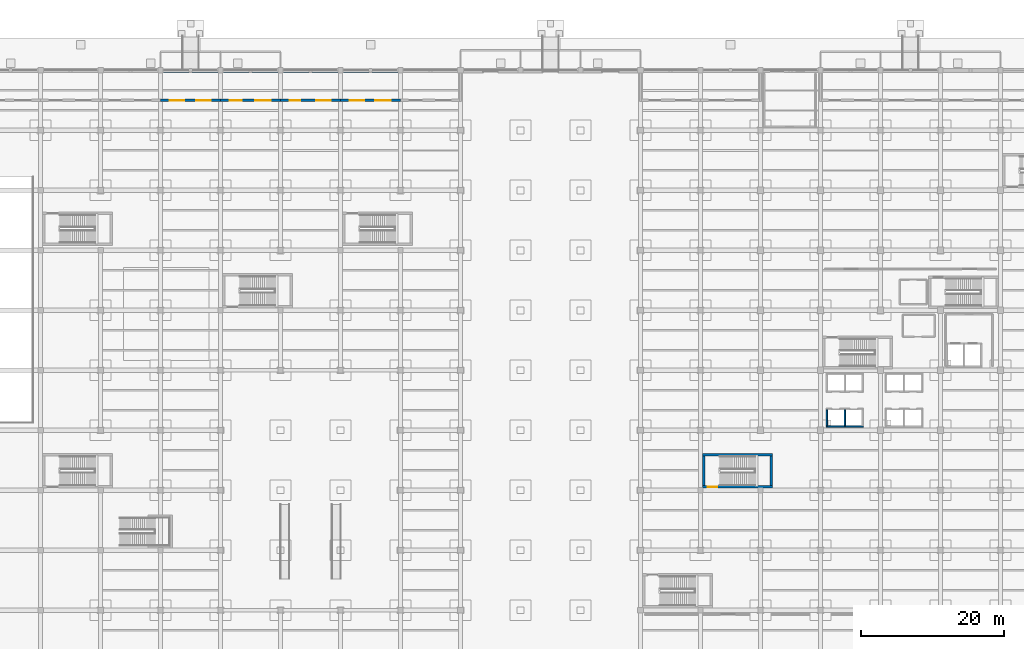
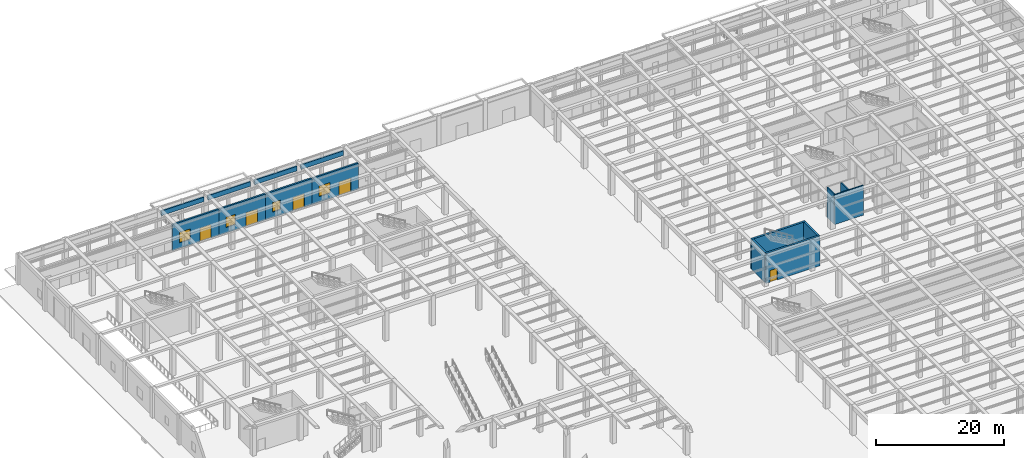
# One storey, part 26 of 43: 15 walls, 5 doors, 4 windows, 9 openings.
"""IFC4 building model written with IfcOpenShell, lengths in metres."""

from ifc_helpers import new_model, si_unit, direction, frame, frame_2d, origin, place, context, subcontext, project, spatial, rectangle, extrude, material, layer, layer_set, type_object, element, fill, save


model = new_model("IFC4")

# Units and contexts
model_context = context("Model", 3, precision=1e-05, world=origin(), true_north=direction((0.0, 1.0)))
body_context = subcontext(model_context, "Body", "Model", "MODEL_VIEW")
ifc_project = project(units=[si_unit("LENGTHUNIT", "METRE"), si_unit("AREAUNIT", "SQUARE_METRE"), si_unit("VOLUMEUNIT", "CUBIC_METRE"), si_unit("PLANEANGLEUNIT", "RADIAN"), si_unit("MASSUNIT", "GRAM", prefix="KILO")], contexts=[model_context])

# Site, building, storey
site_placement = place(None, origin())
site = spatial("IfcSite", under=ifc_project, at=site_placement, CompositionType="ELEMENT")
building_placement = place(site_placement, origin())
building = spatial("IfcBuilding", under=site, at=building_placement, Name="Almacenes y Pasaje Nevantli", CompositionType="ELEMENT")
storey_placement = place(building_placement, origin())
storey = spatial("IfcBuildingStorey", under=building, at=storey_placement, Name="L01", CompositionType="ELEMENT", Elevation=0.0)

# Wall, opening, door
ifc_material_1 = material(Name="Concrete C45/55", Category="concrete")
ifc_layer_1 = layer(ifc_material_1, 0.35009765625)
ifc_layer_set_1 = layer_set([ifc_layer_1], Name="Concrete C45/55")
wall_type_1 = type_object("IfcWallType", Name="WL-CORE-350", PredefinedType="SHEAR", material=ifc_layer_set_1)
wall_1_placement = place(storey_placement, frame((101.10009765625, 59.27490234375, 0.0), z_axis=(0.0, 0.0, 1.0), x_axis=(1.0, 0.0, 0.0)))
wall_1 = element("IfcWall", 1, at=wall_1_placement, inside=storey, type_object=wall_type_1, Name="L01 Exit Stair ST-13 South Core Shear Wall", PredefinedType="SHEAR", context=body_context, shape_type="SweptSolid", body=[
    extrude(rectangle(XDim=9.75, YDim=0.35009765625, at=frame_2d((4.875, 0.0))), origin(), (0.0, 0.0, 1.0), 5.699951171875),
])
opening_1_placement = place(wall_1_placement, frame((0.719970703125, 0.0, 0.0)))
opening_1 = element("IfcOpeningElement", 2, at=opening_1_placement, cuts=wall_1, Name="Opening SD-13-L01", PredefinedType="OPENING", context=body_context, shape_type="SweptSolid", body=[
    extrude(rectangle(XDim=1.35009765625, YDim=2.25, at=frame_2d((0.675048828125, 1.125))), frame((0.0, 0.18505859375, 0.0), z_axis=(0.0, -1.0, 0.0), x_axis=(1.0, 0.0, 0.0)), (0.0, 0.0, 1.0), 0.3701171875),
])
ifc_material_2 = material(Name="Galvanized Fire-Rated Steel", Category="steel")
door_type_1 = type_object("IfcDoorType", Name="DR-STAIR-1350", OperationType="SINGLE_SWING_LEFT", PredefinedType="DOOR", material=ifc_material_2)
door_1_placement = place(opening_1_placement, origin())
door_1 = element("IfcDoor", 3, at=door_1_placement, inside=storey, type_object=door_type_1, Name="L01 Smokeproof Exit Stair ST-13 Fire Door", OperationType="SINGLE_SWING_LEFT", OverallHeight=2.25, OverallWidth=1.35009765625, PredefinedType="DOOR", context=body_context, shape_type="SweptSolid", body=[
    extrude(rectangle(XDim=1.35009765625, YDim=2.25, at=frame_2d((0.675048828125, 1.125))), frame((0.0, 0.02490234375, 0.0), z_axis=(0.0, -1.0, 0.0), x_axis=(1.0, 0.0, 0.0)), (0.0, 0.0, 1.0), 0.050048828125),
])
fill(opening_1, door_1)

# Walls
wall_2_placement = place(storey_placement, frame((101.10009765625, 63.77490234375, 0.0), z_axis=(0.0, 0.0, 1.0), x_axis=(1.0, 0.0, 0.0)))
element("IfcWall", 4, at=wall_2_placement, inside=storey, type_object=wall_type_1, Name="L01 Exit Stair ST-13 North Core Shear Wall", PredefinedType="SHEAR", context=body_context, shape_type="SweptSolid", body=[
    extrude(rectangle(XDim=9.75, YDim=0.35009765625, at=frame_2d((4.875, 0.0))), origin(), (0.0, 0.0, 1.0), 5.699951171875),
])
for number, where, z_axis, x_axis, name in (
    (5, (101.27490234375, 59.449951171875, 0.0), (0.0, 0.0, 1.0), (0.0, 1.0, 0.0), "L01 Exit Stair ST-13 West Core Shear Wall"),
    (6, (110.675048828125, 59.449951171875, 0.0), (0.0, 0.0, 1.0), (0.0, 1.0, 0.0), "L01 Exit Stair ST-13 East Core Shear Wall"),
):
    element("IfcWall", number, at=place(storey_placement, frame(where, z_axis=z_axis, x_axis=x_axis)), inside=storey, type_object=wall_type_1, Name=name, PredefinedType="SHEAR", context=body_context, shape_type="SweptSolid", body=[
        extrude(rectangle(XDim=4.150146484375, YDim=0.35009765625, at=frame_2d((2.0751953125, 0.0))), origin(), (0.0, 0.0, 1.0), 5.699951171875),
    ])
ifc_material_3 = material(Name="Architectural Precast Concrete C35/45 Spandrel Wall", Category="concrete")
ifc_layer_2 = layer(ifc_material_3, 0.280029296875)
ifc_layer_set_2 = layer_set([ifc_layer_2], Name="Architectural Precast Concrete C35/45 Spandrel Wall")
wall_type_2 = type_object("IfcWallType", Name="WL-EXT-CANTERA-280", PredefinedType="SOLIDWALL", material=ifc_layer_set_2)
for number, where, z_axis, x_axis, name in (
    (7, (25.577880859375, 117.449951171875, 4.10009765625), (0.0, 0.0, 1.0), (1.0, 0.0, 0.0), "L01 Boulevard Portales Colonnade Spandrel Frieze Bay 4"),
    (8, (33.97802734375, 117.449951171875, 4.10009765625), (0.0, 0.0, 1.0), (1.0, 0.0, 0.0), "L01 Boulevard Portales Colonnade Spandrel Frieze Bay 5"),
    (9, (42.3779296875, 117.449951171875, 4.10009765625), (0.0, 0.0, 1.0), (1.0, 0.0, 0.0), "L01 Boulevard Portales Colonnade Spandrel Frieze Bay 6"),
    (10, (50.778076171875, 117.449951171875, 4.10009765625), (0.0, 0.0, 1.0), (1.0, 0.0, 0.0), "L01 Boulevard Portales Colonnade Spandrel Frieze Bay 7"),
):
    element("IfcWall", number, at=place(storey_placement, frame(where, z_axis=z_axis, x_axis=x_axis)), inside=storey, type_object=wall_type_2, Name=name, PredefinedType="SOLIDWALL", context=body_context, shape_type="SweptSolid", body=[
        extrude(rectangle(XDim=7.64404296875, YDim=0.280029296875, at=frame_2d((3.822021484375, 0.0))), origin(), (0.0, 0.0, 1.0), 0.8798828125),
    ])

# Wall, openings, door, window
ifc_material_4 = material(Name="Architectural Precast Concrete C35/45 Plinth Wall", Category="concrete")
ifc_layer_3 = layer(ifc_material_4, 0.31005859375)
ifc_layer_set_3 = layer_set([ifc_layer_3], Name="Architectural Precast Concrete C35/45 Plinth Wall")
wall_type_3 = type_object("IfcWallType", Name="WL-EXT-RECINTO-310", PredefinedType="SOLIDWALL", material=ifc_layer_set_3)
wall_3_placement = place(storey_placement, frame((25.199951171875, 113.39990234375, 0.0), z_axis=(0.0, 0.0, 1.0), x_axis=(1.0, 0.0, 0.0)))
wall_3 = element("IfcWall", 11, at=wall_3_placement, inside=storey, type_object=wall_type_3, Name="L01 Boulevard Portales Storefront Wall Bay 4", PredefinedType="SOLIDWALL", context=body_context, shape_type="SweptSolid", body=[
    extrude(rectangle(XDim=8.400146484375, YDim=0.31005859375, at=frame_2d((4.2001953125, 0.0))), origin(), (0.0, 0.0, 1.0), 4.97998046875),
])
opening_2_placement = place(wall_3_placement, frame((1.2900390625, 0.0, 1.050048828125)))
opening_2 = element("IfcOpeningElement", 12, at=opening_2_placement, cuts=wall_3, Name="Opening WT-15-004", PredefinedType="OPENING", context=body_context, shape_type="SweptSolid", body=[
    extrude(rectangle(XDim=2.0, YDim=2.0, at=frame_2d((1.0, 1.0))), frame((0.0, 0.1650390625, 0.0), z_axis=(0.0, -1.0, 0.0), x_axis=(1.0, 0.0, 0.0)), (0.0, 0.0, 1.0), 0.330078125),
])
opening_3_placement = place(wall_3_placement, frame((4.969970703125, 0.0, 0.0)))
opening_3 = element("IfcOpeningElement", 13, at=opening_3_placement, cuts=wall_3, Name="Opening ED-L01-004", PredefinedType="OPENING", context=body_context, shape_type="SweptSolid", body=[
    extrude(rectangle(XDim=2.0400390625, YDim=2.550048828125, at=frame_2d((1.02001953125, 1.27490234375))), frame((0.0, 0.1650390625, 0.0), z_axis=(0.0, -1.0, 0.0), x_axis=(1.0, 0.0, 0.0)), (0.0, 0.0, 1.0), 0.330078125),
])
ifc_material_5 = material(Name="Anodized Aluminium and Safety Glass", Category="aluminium")
door_type_2 = type_object("IfcDoorType", Name="DR-EXT-DBL-2040", OperationType="DOUBLE_DOOR_SINGLE_SWING", PredefinedType="DOOR", material=ifc_material_5)
door_2_placement = place(opening_3_placement, origin())
door_2 = element("IfcDoor", 14, at=door_2_placement, inside=storey, type_object=door_type_2, Name="L01 Boulevard Portales Entrance Door Bay 4", OperationType="DOUBLE_DOOR_SINGLE_SWING", OverallHeight=2.550048828125, OverallWidth=2.0400390625, PredefinedType="DOOR", context=body_context, shape_type="SweptSolid", body=[
    extrude(rectangle(XDim=2.0400390625, YDim=2.550048828125, at=frame_2d((1.02001953125, 1.27490234375))), frame((0.0, 0.02490234375, 0.0), z_axis=(0.0, -1.0, 0.0), x_axis=(1.0, 0.0, 0.0)), (0.0, 0.0, 1.0), 0.050048828125),
])
fill(opening_3, door_2)
ifc_material_6 = material(Name="Thermally Broken Aluminium and Low-E Double Glazing", Category="aluminium")
window_type_1 = type_object("IfcWindowType", Name="WN-POD-2000x2000", PartitioningType="SINGLE_PANEL", PredefinedType="WINDOW", material=ifc_material_6)
window_1_placement = place(opening_2_placement, origin())
window_1 = element("IfcWindow", 15, at=window_1_placement, inside=storey, type_object=window_type_1, Name="L01 Exterior Window WT-15 #4", OverallHeight=2.0, OverallWidth=2.0, PartitioningType="SINGLE_PANEL", PredefinedType="WINDOW", context=body_context, shape_type="SweptSolid", body=[
    extrude(rectangle(XDim=2.0, YDim=2.0, at=frame_2d((1.0, 1.0))), frame((0.0, 0.030029296875, 0.0), z_axis=(0.0, -1.0, 0.0), x_axis=(1.0, 0.0, 0.0)), (0.0, 0.0, 1.0), 0.06005859375),
])
fill(opening_2, window_1)

wall_4_placement = place(storey_placement, frame((33.60009765625, 113.39990234375, 0.0), z_axis=(0.0, 0.0, 1.0), x_axis=(1.0, 0.0, 0.0)))
wall_4 = element("IfcWall", 16, at=wall_4_placement, inside=storey, type_object=wall_type_3, Name="L01 Boulevard Portales Storefront Wall Bay 5", PredefinedType="SOLIDWALL", context=body_context, shape_type="SweptSolid", body=[
    extrude(rectangle(XDim=8.39990234375, YDim=0.31005859375, at=frame_2d((4.199951171875, 0.0))), origin(), (0.0, 0.0, 1.0), 4.97998046875),
])
opening_4_placement = place(wall_4_placement, frame((1.2900390625, 0.0, 1.050048828125)))
opening_4 = element("IfcOpeningElement", 17, at=opening_4_placement, cuts=wall_4, Name="Opening WT-16-005", PredefinedType="OPENING", context=body_context, shape_type="SweptSolid", body=[
    extrude(rectangle(XDim=1.699951171875, YDim=1.949951171875, at=frame_2d((0.85009765625, 0.97509765625))), frame((0.0, 0.1650390625, 0.0), z_axis=(0.0, -1.0, 0.0), x_axis=(1.0, 0.0, 0.0)), (0.0, 0.0, 1.0), 0.330078125),
])
opening_5_placement = place(wall_4_placement, frame((4.85009765625, 0.0, 0.0)))
opening_5 = element("IfcOpeningElement", 18, at=opening_5_placement, cuts=wall_4, Name="Opening ED-L01-005", PredefinedType="OPENING", context=body_context, shape_type="SweptSolid", body=[
    extrude(rectangle(XDim=2.159912109375, YDim=2.60009765625, at=frame_2d((1.080078125, 1.300048828125))), frame((0.0, 0.1650390625, 0.0), z_axis=(0.0, -1.0, 0.0), x_axis=(1.0, 0.0, 0.0)), (0.0, 0.0, 1.0), 0.330078125),
])
ifc_material_7 = material(Name="Anodized Aluminium and Safety Glass", Category="aluminium")
door_type_3 = type_object("IfcDoorType", Name="DR-EXT-DBL-2160", OperationType="DOUBLE_DOOR_SINGLE_SWING", PredefinedType="DOOR", material=ifc_material_7)
door_3_placement = place(opening_5_placement, origin())
door_3 = element("IfcDoor", 19, at=door_3_placement, inside=storey, type_object=door_type_3, Name="L01 Boulevard Portales Entrance Door Bay 5", OperationType="DOUBLE_DOOR_SINGLE_SWING", OverallHeight=2.60009765625, OverallWidth=2.159912109375, PredefinedType="DOOR", context=body_context, shape_type="SweptSolid", body=[
    extrude(rectangle(XDim=2.159912109375, YDim=2.60009765625, at=frame_2d((1.080078125, 1.300048828125))), frame((0.0, 0.02490234375, 0.0), z_axis=(0.0, -1.0, 0.0), x_axis=(1.0, 0.0, 0.0)), (0.0, 0.0, 1.0), 0.050048828125),
])
fill(opening_5, door_3)
ifc_material_8 = material(Name="Thermally Broken Aluminium and Low-E Double Glazing", Category="aluminium")
window_type_2 = type_object("IfcWindowType", Name="WN-POD-1700x1950", PartitioningType="SINGLE_PANEL", PredefinedType="WINDOW", material=ifc_material_8)
window_2_placement = place(opening_4_placement, origin())
window_2 = element("IfcWindow", 20, at=window_2_placement, inside=storey, type_object=window_type_2, Name="L01 Exterior Window WT-16 #5", OverallHeight=1.949951171875, OverallWidth=1.699951171875, PartitioningType="SINGLE_PANEL", PredefinedType="WINDOW", context=body_context, shape_type="SweptSolid", body=[
    extrude(rectangle(XDim=1.699951171875, YDim=1.949951171875, at=frame_2d((0.85009765625, 0.97509765625))), frame((0.0, 0.030029296875, 0.0), z_axis=(0.0, -1.0, 0.0), x_axis=(1.0, 0.0, 0.0)), (0.0, 0.0, 1.0), 0.06005859375),
])
fill(opening_4, window_2)

wall_5_placement = place(storey_placement, frame((42.0, 113.39990234375, 0.0), z_axis=(0.0, 0.0, 1.0), x_axis=(1.0, 0.0, 0.0)))
wall_5 = element("IfcWall", 21, at=wall_5_placement, inside=storey, type_object=wall_type_3, Name="L01 Boulevard Portales Storefront Wall Bay 6", PredefinedType="SOLIDWALL", context=body_context, shape_type="SweptSolid", body=[
    extrude(rectangle(XDim=8.39990234375, YDim=0.31005859375, at=frame_2d((4.199951171875, 0.0))), origin(), (0.0, 0.0, 1.0), 4.97998046875),
])
opening_6_placement = place(wall_5_placement, frame((1.2900390625, 0.0, 1.050048828125)))
opening_6 = element("IfcOpeningElement", 22, at=opening_6_placement, cuts=wall_5, Name="Opening WT-17-006", PredefinedType="OPENING", context=body_context, shape_type="SweptSolid", body=[
    extrude(rectangle(XDim=1.449951171875, YDim=1.800048828125, at=frame_2d((0.72509765625, 0.89990234375))), frame((0.0, 0.1650390625, 0.0), z_axis=(0.0, -1.0, 0.0), x_axis=(1.0, 0.0, 0.0)), (0.0, 0.0, 1.0), 0.330078125),
])
opening_7_placement = place(wall_5_placement, frame((4.969970703125, 0.0, 0.0)))
opening_7 = element("IfcOpeningElement", 23, at=opening_7_placement, cuts=wall_5, Name="Opening ED-L01-006", PredefinedType="OPENING", context=body_context, shape_type="SweptSolid", body=[
    extrude(rectangle(XDim=2.0400390625, YDim=2.550048828125, at=frame_2d((1.02001953125, 1.27490234375))), frame((0.0, 0.1650390625, 0.0), z_axis=(0.0, -1.0, 0.0), x_axis=(1.0, 0.0, 0.0)), (0.0, 0.0, 1.0), 0.330078125),
])
door_4_placement = place(opening_7_placement, origin())
door_4 = element("IfcDoor", 24, at=door_4_placement, inside=storey, type_object=door_type_2, Name="L01 Boulevard Portales Entrance Door Bay 6", OperationType="DOUBLE_DOOR_SINGLE_SWING", OverallHeight=2.550048828125, OverallWidth=2.0400390625, PredefinedType="DOOR", context=body_context, shape_type="SweptSolid", body=[
    extrude(rectangle(XDim=2.0400390625, YDim=2.550048828125, at=frame_2d((1.02001953125, 1.27490234375))), frame((0.0, 0.02490234375, 0.0), z_axis=(0.0, -1.0, 0.0), x_axis=(1.0, 0.0, 0.0)), (0.0, 0.0, 1.0), 0.050048828125),
])
fill(opening_7, door_4)
ifc_material_9 = material(Name="Thermally Broken Aluminium and Low-E Double Glazing", Category="aluminium")
window_type_3 = type_object("IfcWindowType", Name="WN-POD-1450x1800", PartitioningType="SINGLE_PANEL", PredefinedType="WINDOW", material=ifc_material_9)
window_3_placement = place(opening_6_placement, origin())
window_3 = element("IfcWindow", 25, at=window_3_placement, inside=storey, type_object=window_type_3, Name="L01 Exterior Window WT-17 #6", OverallHeight=1.800048828125, OverallWidth=1.449951171875, PartitioningType="SINGLE_PANEL", PredefinedType="WINDOW", context=body_context, shape_type="SweptSolid", body=[
    extrude(rectangle(XDim=1.449951171875, YDim=1.800048828125, at=frame_2d((0.72509765625, 0.89990234375))), frame((0.0, 0.030029296875, 0.0), z_axis=(0.0, -1.0, 0.0), x_axis=(1.0, 0.0, 0.0)), (0.0, 0.0, 1.0), 0.06005859375),
])
fill(opening_6, window_3)

wall_6_placement = place(storey_placement, frame((50.39990234375, 113.39990234375, 0.0), z_axis=(0.0, 0.0, 1.0), x_axis=(1.0, 0.0, 0.0)))
wall_6 = element("IfcWall", 26, at=wall_6_placement, inside=storey, type_object=wall_type_3, Name="L01 Boulevard Portales Storefront Wall Bay 7", PredefinedType="SOLIDWALL", context=body_context, shape_type="SweptSolid", body=[
    extrude(rectangle(XDim=8.400146484375, YDim=0.31005859375, at=frame_2d((4.2001953125, 0.0))), origin(), (0.0, 0.0, 1.0), 4.97998046875),
])
opening_8_placement = place(wall_6_placement, frame((1.2900390625, 0.0, 1.050048828125)))
opening_8 = element("IfcOpeningElement", 27, at=opening_8_placement, cuts=wall_6, Name="Opening WT-15-007", PredefinedType="OPENING", context=body_context, shape_type="SweptSolid", body=[
    extrude(rectangle(XDim=2.0, YDim=2.0, at=frame_2d((1.0, 1.0))), frame((0.0, 0.1650390625, 0.0), z_axis=(0.0, -1.0, 0.0), x_axis=(1.0, 0.0, 0.0)), (0.0, 0.0, 1.0), 0.330078125),
])
opening_9_placement = place(wall_6_placement, frame((4.85009765625, 0.0, 0.0)))
opening_9 = element("IfcOpeningElement", 28, at=opening_9_placement, cuts=wall_6, Name="Opening ED-L01-007", PredefinedType="OPENING", context=body_context, shape_type="SweptSolid", body=[
    extrude(rectangle(XDim=2.159912109375, YDim=2.60009765625, at=frame_2d((1.080078125, 1.300048828125))), frame((0.0, 0.1650390625, 0.0), z_axis=(0.0, -1.0, 0.0), x_axis=(1.0, 0.0, 0.0)), (0.0, 0.0, 1.0), 0.330078125),
])
door_5_placement = place(opening_9_placement, origin())
door_5 = element("IfcDoor", 29, at=door_5_placement, inside=storey, type_object=door_type_3, Name="L01 Boulevard Portales Entrance Door Bay 7", OperationType="DOUBLE_DOOR_SINGLE_SWING", OverallHeight=2.60009765625, OverallWidth=2.159912109375, PredefinedType="DOOR", context=body_context, shape_type="SweptSolid", body=[
    extrude(rectangle(XDim=2.159912109375, YDim=2.60009765625, at=frame_2d((1.080078125, 1.300048828125))), frame((0.0, 0.02490234375, 0.0), z_axis=(0.0, -1.0, 0.0), x_axis=(1.0, 0.0, 0.0)), (0.0, 0.0, 1.0), 0.050048828125),
])
fill(opening_9, door_5)
window_4_placement = place(opening_8_placement, origin())
window_4 = element("IfcWindow", 30, at=window_4_placement, inside=storey, type_object=window_type_1, Name="L01 Exterior Window WT-15 #7", OverallHeight=2.0, OverallWidth=2.0, PartitioningType="SINGLE_PANEL", PredefinedType="WINDOW", context=body_context, shape_type="SweptSolid", body=[
    extrude(rectangle(XDim=2.0, YDim=2.0, at=frame_2d((1.0, 1.0))), frame((0.0, 0.030029296875, 0.0), z_axis=(0.0, -1.0, 0.0), x_axis=(1.0, 0.0, 0.0)), (0.0, 0.0, 1.0), 0.06005859375),
])
fill(opening_8, window_4)

# Walls
ifc_material_10 = material(Name="Concrete C45/55", Category="concrete")
ifc_layer_4 = layer(ifc_material_10, 0.2099609375)
ifc_layer_set_4 = layer_set([ifc_layer_4], Name="Concrete C45/55")
wall_type_4 = type_object("IfcWallType", Name="WL-SHAFT-210", PredefinedType="SHEAR", material=ifc_layer_set_4)
wall_7_placement = place(storey_placement, frame((118.389892578125, 67.7451171875, 0.0), z_axis=(0.0, 0.0, 1.0), x_axis=(1.0, 0.0, 0.0)))
element("IfcWall", 31, at=wall_7_placement, inside=storey, type_object=wall_type_4, Name="L01 Lift Hoistway ELV-P05-ELV-P06 South Wall", PredefinedType="SHEAR", context=body_context, shape_type="SweptSolid", body=[
    extrude(rectangle(XDim=5.22021484375, YDim=0.2099609375, at=frame_2d((2.610107421875, 0.0))), origin(), (0.0, 0.0, 1.0), 5.699951171875),
])
for number, where, z_axis, x_axis, name in (
    (32, (118.4951171875, 67.85009765625, 0.0), (0.0, 0.0, 1.0), (0.0, 1.0, 0.0), "L01 Lift Hoistway ELV-P05 West Wall"),
    (33, (121.0, 67.85009765625, 0.0), (0.0, 0.0, 1.0), (0.0, 1.0, 0.0), "L01 Lift Hoistway Divider Wall ELV-P05/ELV-P06"),
):
    element("IfcWall", number, at=place(storey_placement, frame(where, z_axis=z_axis, x_axis=x_axis)), inside=storey, type_object=wall_type_4, Name=name, PredefinedType="SHEAR", context=body_context, shape_type="SweptSolid", body=[
        extrude(rectangle(XDim=2.199951171875, YDim=0.2099609375, at=frame_2d((1.10009765625, 0.0))), origin(), (0.0, 0.0, 1.0), 5.699951171875),
    ])

save(model, "model.ifc")
